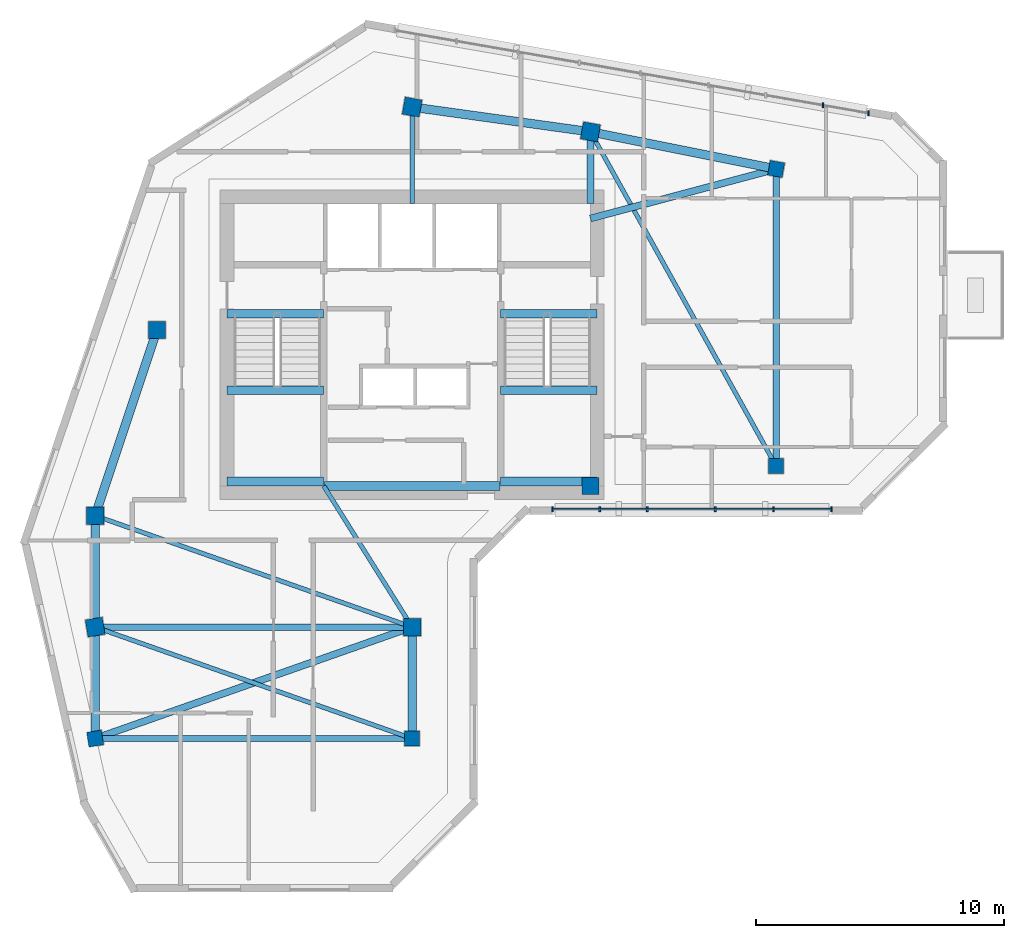
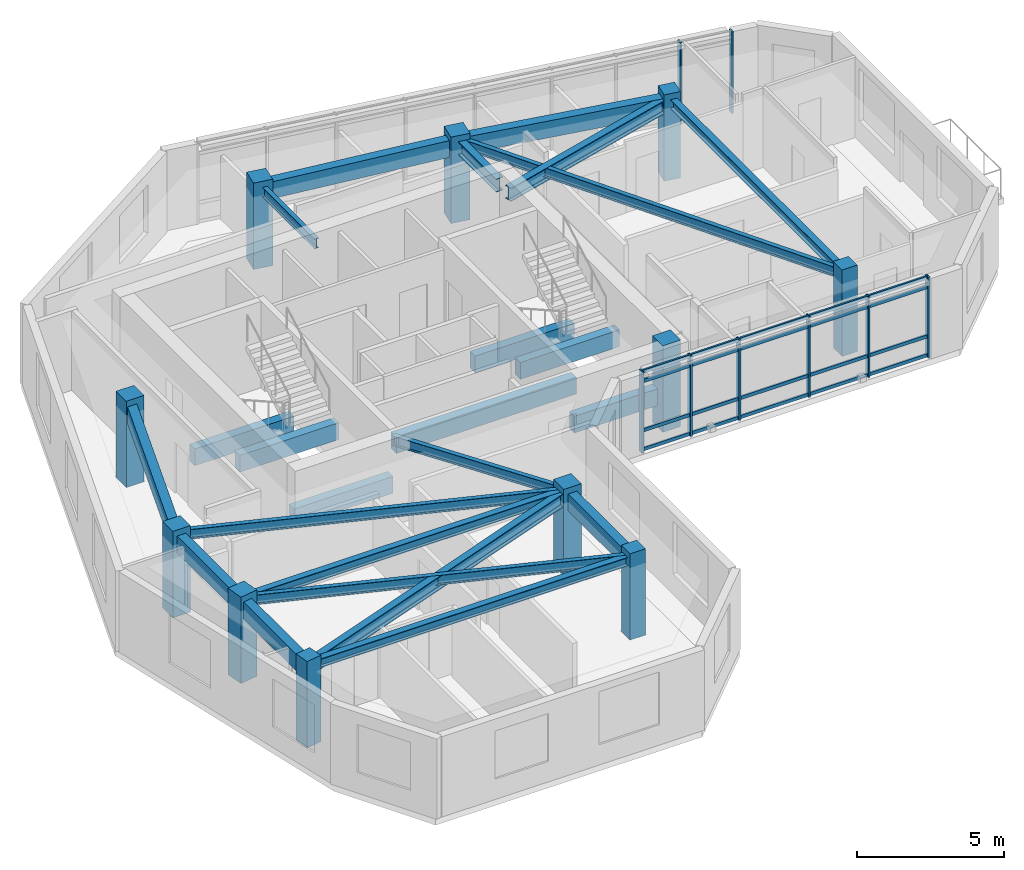
# One storey, part 1 of 9: 24 beams, 12 members, 11 columns, 2 elements without a shape of their own.
"""IFC4 building model written with IfcOpenShell, lengths in metres."""

import ifcopenshell
import ifcopenshell.guid

model = None  # the IFC model being written
_history = None  # IfcOwnerHistory: only IFC2X3 demands one
_inside = {}  # id of a spatial element -> (the spatial element, [elements in it])
_under = {}  # id of a project, library or spatial element -> (it, [spatial elements below it])
_declared = {}  # id of a project -> (the project, [libraries it declares])
_typed = {}  # id of a type object -> (the type object, [elements of that type])
_made_of = {}  # id of a material, layer set ... -> (it, [elements and type objects made of it])


def new_model(schema):
    """Start an empty IFC model of exactly this schema.

    Asked for "IFC4X3", IfcOpenShell would pick the latest addendum, in which some entities
    have other attributes; the version numbers below select the first issue.
    IFC2X3 requires an IfcOwnerHistory on every rooted entity: one is made here for all.
    """
    global model, _history
    if schema == "IFC4X3":
        model = ifcopenshell.file(schema_version=(4, 3, 0, 0))
    else:
        model = ifcopenshell.file(schema=schema)
    _inside.clear()
    _under.clear()
    _declared.clear()
    _typed.clear()
    _made_of.clear()
    _history = None
    if model.schema == "IFC2X3":
        org = make("IfcOrganization", Name="unknown")
        user = make(
            "IfcPersonAndOrganization",
            ThePerson=make("IfcPerson", FamilyName="unknown"),
            TheOrganization=org,
        )
        app = make(
            "IfcApplication",
            ApplicationDeveloper=org,
            Version="unknown",
            ApplicationFullName="unknown",
            ApplicationIdentifier="unknown",
        )
        _history = make(
            "IfcOwnerHistory",
            OwningUser=user,
            OwningApplication=app,
            ChangeAction="ADDED",
            CreationDate=0,
        )
    return model


def make(cls, **values):
    """One entity of the class cls with the attributes given. An attribute that is None is left unset."""
    return model.create_entity(
        cls, **{name: value for name, value in values.items() if value is not None}
    )


def rooted(cls, **values):
    """An entity with a GlobalId (a new one), such as an element, a storey or a relation."""
    return make(cls, GlobalId=ifcopenshell.guid.new(), OwnerHistory=_history, **values)


def si_unit(unit_type, name, prefix=None):
    """IfcSIUnit, for example si_unit("LENGTHUNIT", "METRE", prefix="MILLI")."""
    return make("IfcSIUnit", UnitType=unit_type, Prefix=prefix, Name=name)


def assignment(units):
    """IfcUnitAssignment: the units of a project."""
    return None if units is None else make("IfcUnitAssignment", Units=units)


def point(xyz):
    """IfcCartesianPoint."""
    return None if xyz is None else make("IfcCartesianPoint", Coordinates=xyz)


def direction(xyz):
    """IfcDirection."""
    return None if xyz is None else make("IfcDirection", DirectionRatios=xyz)


def frame(location, z_axis=None, x_axis=None):
    """IfcAxis2Placement3D, a coordinate frame: its origin and axes. An axis left out is left unset."""
    return make(
        "IfcAxis2Placement3D",
        Location=point(location),
        Axis=direction(z_axis),
        RefDirection=direction(x_axis),
    )


def frame_2d(location, x_axis=None):
    """IfcAxis2Placement2D, a coordinate frame in the plane: its origin and x axis."""
    return make(
        "IfcAxis2Placement2D", Location=point(location), RefDirection=direction(x_axis)
    )


def origin():
    """The frame at (0, 0, 0) with its axes left unset."""
    return frame((0.0, 0.0, 0.0))


def origin_2d():
    """The frame at (0, 0) in the plane with its x axis left unset."""
    return frame_2d((0.0, 0.0))


def place(relative_to, where):
    """IfcLocalPlacement: puts the frame where relative to a parent placement (None: the world)."""
    return make(
        "IfcLocalPlacement", PlacementRelTo=relative_to, RelativePlacement=where
    )


def context(
    kind, dimensions, precision=None, world=None, true_north=None, identifier=None
):
    """IfcGeometricRepresentationContext, for example the 3D "Model" context."""
    return make(
        "IfcGeometricRepresentationContext",
        ContextIdentifier=identifier,
        ContextType=kind,
        CoordinateSpaceDimension=dimensions,
        Precision=precision,
        WorldCoordinateSystem=world,
        TrueNorth=true_north,
    )


def subcontext(parent, identifier, kind, view, scale=None):
    """IfcGeometricRepresentationSubContext, for example "Body" below "Model"."""
    return make(
        "IfcGeometricRepresentationSubContext",
        ContextIdentifier=identifier,
        ContextType=kind,
        ParentContext=parent,
        TargetScale=scale,
        TargetView=view,
    )


def project(units=None, contexts=None):
    """IfcProject with its units and contexts."""
    return rooted(
        "IfcProject",
        Name="project",
        RepresentationContexts=contexts,
        UnitsInContext=assignment(units),
    )


def spatial(cls, under=None, at=None, **own):
    """A site, building, storey or space (cls), placed at a placement, below another one or the project."""
    s = rooted(cls, ObjectPlacement=at, **own)
    if under is not None:
        _under.setdefault(under.id(), (under, []))[1].append(s)
    return s


def profile(cls, at=None, kind="AREA", **sizes):
    """A parametric profile (cls). Its sizes go by their IFC names, for example OverallWidth=200.0."""
    return make(cls, ProfileType=kind, Position=at, **sizes)


def rectangle(**sizes):
    """IfcRectangleProfileDef."""
    return profile("IfcRectangleProfileDef", **sizes)


def i_section(**sizes):
    """IfcIShapeProfileDef."""
    return profile("IfcIShapeProfileDef", **sizes)


def extrude(swept, where, along, depth):
    """IfcExtrudedAreaSolid: the profile swept, set in the frame where, extruded along a direction by depth."""
    return make(
        "IfcExtrudedAreaSolid",
        SweptArea=swept,
        Position=where,
        ExtrudedDirection=direction(along),
        Depth=depth,
    )


def shape(context_of_items, identifier, shape_type, items):
    """IfcShapeRepresentation: the items that make up one representation, for example the "Body"."""
    return make(
        "IfcShapeRepresentation",
        ContextOfItems=context_of_items,
        RepresentationIdentifier=identifier,
        RepresentationType=shape_type,
        Items=items,
    )


def source(mapping_origin, context_of_items, identifier, shape_type, items):
    """IfcRepresentationMap: a shape defined once, which mapped items show again and again."""
    return make(
        "IfcRepresentationMap",
        MappingOrigin=mapping_origin,
        MappedRepresentation=shape(context_of_items, identifier, shape_type, items),
    )


def transform(
    local_origin,
    x_axis=None,
    y_axis=None,
    z_axis=None,
    scale=None,
    scale2=None,
    scale3=None,
    uniform=True,
):
    """IfcCartesianTransformationOperator3D, or its non-uniform kind. x_axis, y_axis, z_axis: its Axis1, 2, 3."""
    if uniform:
        return make(
            "IfcCartesianTransformationOperator3D",
            Axis1=direction(x_axis),
            Axis2=direction(y_axis),
            LocalOrigin=point(local_origin),
            Scale=scale,
            Axis3=direction(z_axis),
        )
    return make(
        "IfcCartesianTransformationOperator3DnonUniform",
        Axis1=direction(x_axis),
        Axis2=direction(y_axis),
        LocalOrigin=point(local_origin),
        Scale=scale,
        Axis3=direction(z_axis),
        Scale2=scale2,
        Scale3=scale3,
    )


def mapped(mapping_source, mapping_target):
    """IfcMappedItem: shows the shape of a source again, moved by a transform."""
    return make(
        "IfcMappedItem", MappingSource=mapping_source, MappingTarget=mapping_target
    )


def material(Name=None, Category=None):
    """IfcMaterial."""
    return make("IfcMaterial", Name=Name, Category=Category)


def material_profile(
    of_material, cross_section, Name=None, Category=None, Priority=None
):
    """IfcMaterialProfile: a cross section and its material."""
    return make(
        "IfcMaterialProfile",
        Name=Name,
        Material=of_material,
        Profile=cross_section,
        Priority=Priority,
        Category=Category,
    )


def profile_set(profiles, Name=None, composite=None):
    """IfcMaterialProfileSet."""
    return make(
        "IfcMaterialProfileSet",
        Name=Name,
        MaterialProfiles=profiles,
        CompositeProfile=composite,
    )


def made_of(thing, what):
    """Note that an element or type object is made of a material, layer set ...; save() writes the relation."""
    if what is not None:
        _made_of.setdefault(what.id(), (what, []))[1].append(thing)
    return thing


def type_object(cls, material=None, **own):
    """A type object (cls), such as IfcWallType, which elements share."""
    return made_of(rooted(cls, **own), material)


def element(
    cls,
    number,
    at=None,
    inside=None,
    cuts=None,
    type_object=None,
    material=None,
    context=None,
    identifier="Body",
    shape_type=None,
    held_by="IfcProductDefinitionShape",
    body=None,
    shapes=None,
    **own,
):
    """One element of the class cls, such as IfcWall. Its Tag is "e" and its number.

    at: its placement. inside: the storey or other place that contains it. cuts: it is an
    opening in that element (IfcRelVoidsElement). A single representation is given by context,
    identifier, shape_type and body (its items); several are given by shapes. held_by: the class
    of the entity that holds the representations. save() writes the other relations.
    """
    e = rooted(cls, Tag="e%d" % number, ObjectPlacement=at, **own)
    if body is not None:
        shapes = [shape(context, identifier, shape_type, body)]
    if shapes is not None:
        e.Representation = make(held_by, Representations=shapes)
    if inside is not None:
        _inside.setdefault(inside.id(), (inside, []))[1].append(e)
    if cuts is not None:
        rooted(
            "IfcRelVoidsElement", RelatingBuildingElement=cuts, RelatedOpeningElement=e
        )
    if type_object is not None:
        _typed.setdefault(type_object.id(), (type_object, []))[1].append(e)
    return made_of(e, material)


def aggregate(whole, parts):
    """IfcRelAggregates: a whole, such as a stair, and the parts it consists of."""
    return rooted("IfcRelAggregates", RelatingObject=whole, RelatedObjects=parts)


def save(model, path):
    """Write the relations noted so far, then the file.

    IfcRelAggregates (storeys below a building ...), IfcRelContainedInSpatialStructure (elements
    in a storey), IfcRelDefinesByType, IfcRelAssociatesMaterial and IfcRelDeclares: one each for
    every whole, place, type object, material and project.
    """
    for whole, parts in _under.values():
        aggregate(whole, parts)
    for where, things in _inside.values():
        rooted(
            "IfcRelContainedInSpatialStructure",
            RelatedElements=things,
            RelatingStructure=where,
        )
    for kind, things in _typed.values():
        rooted("IfcRelDefinesByType", RelatedObjects=things, RelatingType=kind)
    for what, things in _made_of.values():
        rooted("IfcRelAssociatesMaterial", RelatedObjects=things, RelatingMaterial=what)
    for by, libraries in _declared.values():
        rooted("IfcRelDeclares", RelatingContext=by, RelatedDefinitions=libraries)
    model.write(path)


model = new_model("IFC4")

# Units and contexts
model_context = context("Model", 3, precision=1e-05, world=origin(), true_north=direction((0.0, 1.0)))
body_context = subcontext(model_context, "Body", "Model", "MODEL_VIEW")
ifc_project = project(units=[si_unit("LENGTHUNIT", "METRE"), si_unit("AREAUNIT", "SQUARE_METRE"), si_unit("VOLUMEUNIT", "CUBIC_METRE"), si_unit("PLANEANGLEUNIT", "RADIAN"), si_unit("MASSUNIT", "GRAM", prefix="KILO")], contexts=[model_context])

# Site, building, storey
site_placement = place(None, origin())
site = spatial("IfcSite", under=ifc_project, at=site_placement, CompositionType="ELEMENT")
building_placement = place(site_placement, origin())
building = spatial("IfcBuilding", under=site, at=building_placement, Name="Calvemar Wedge Station Tower", CompositionType="ELEMENT")
storey_placement = place(building_placement, frame((0.0, 0.0, 260.10009765625)))
storey = spatial("IfcBuildingStorey", under=building, at=storey_placement, Name="L66", CompositionType="ELEMENT", Elevation=260.10009765625)

# Columns
ifc_material_1 = material(Name="Concrete C50", Category="concrete")
ifc_material_profile_1 = material_profile(ifc_material_1, rectangle(XDim=0.699951171875, YDim=0.699951171875, at=origin_2d()), Name="RC700x700")
ifc_profile_set_1 = profile_set([ifc_material_profile_1], Name="Concrete C50")
column_type_1 = type_object("IfcColumnType", Name="COL-C7-700", PredefinedType="COLUMN", material=ifc_profile_set_1)
shared_shape_1 = source(origin(), body_context, "Body", "SweptSolid", [
    extrude(rectangle(XDim=0.699951171875, YDim=0.699951171875, at=origin_2d()), origin(), (0.0, 0.0, 1.0), 3.599853515625),
])
for number, where, z_axis, x_axis, name in (
    (1, (11.0, 33.0, 0.0), (0.0, 0.0, 1.0), (1.0, 0.0, 0.0), "Storey L66 Column T-NW1"),
    (2, (13.5, 40.5, 0.0), (0.0, 0.0, 1.0), (1.0, 0.0, 0.0), "Storey L66 Column T-NW2"),
    (3, (23.800048828125, 49.5, 0.0), (0.0, 0.0, 1.0), (0.984195607969, -0.17708474032, 0.0), "Storey L66 Column T-N1"),
    (4, (31.0, 48.5, 0.0), (0.0, 0.0, 1.0), (0.984195607969, -0.17708474032, 0.0), "Storey L66 Column T-N2"),
    (5, (31.0, 34.199951171875, 0.0), (0.0, 0.0, 1.0), (1.0, 0.0, 0.0), "Storey L66 Column T-NL1"),
    (6, (11.0, 28.5, 0.0), (0.0, 0.0, 1.0), (0.158158067254, -0.987413806751, 0.0), "Storey L66 Column T-SW1"),
    (7, (23.800048828125, 28.5, 0.0), (0.0, 0.0, 1.0), (1.0, 0.0, 0.0), "Storey L66 Column T-SE1"),
):
    element("IfcColumn", number, at=place(storey_placement, frame(where, z_axis=z_axis, x_axis=x_axis)), inside=storey, type_object=column_type_1, Name=name, PredefinedType="COLUMN", context=body_context, shape_type="MappedRepresentation", body=[
        mapped(shared_shape_1, transform((0.0, 0.0, 0.0), scale=1.0)),
    ])
ifc_material_profile_2 = material_profile(ifc_material_1, rectangle(XDim=0.60009765625, YDim=0.60009765625, at=origin_2d()), Name="RC600x600")
ifc_profile_set_2 = profile_set([ifc_material_profile_2], Name="Concrete C50")
column_type_2 = type_object("IfcColumnType", Name="COL-C8-600", PredefinedType="COLUMN", material=ifc_profile_set_2)
shared_shape_2 = source(origin(), body_context, "Body", "SweptSolid", [
    extrude(rectangle(XDim=0.60009765625, YDim=0.60009765625, at=origin_2d()), origin(), (0.0, 0.0, 1.0), 3.599853515625),
])
for number, where, z_axis, x_axis, name in (
    (8, (38.5, 47.0, 0.0), (0.0, 0.0, 1.0), (0.984195607969, -0.17708474032, 0.0), "Storey L66 Column T-NU3"),
    (9, (38.5, 35.0, 0.0), (0.0, 0.0, 1.0), (1.0, 0.0, 0.0), "Storey L66 Column T-NL2"),
    (10, (11.0, 24.0, 0.0), (0.0, 0.0, 1.0), (0.158158067254, -0.987413806751, 0.0), "Storey L66 Column T-SW2"),
    (11, (23.800048828125, 24.0, 0.0), (0.0, 0.0, 1.0), (1.0, 0.0, 0.0), "Storey L66 Column T-SE2"),
):
    element("IfcColumn", number, at=place(storey_placement, frame(where, z_axis=z_axis, x_axis=x_axis)), inside=storey, type_object=column_type_2, Name=name, PredefinedType="COLUMN", context=body_context, shape_type="MappedRepresentation", body=[
        mapped(shared_shape_2, transform((0.0, 0.0, 0.0), scale=1.0)),
    ])

# Beams
ifc_material_2 = material(Name="Structural steel ASTM A572 Grade 50", Category="steel")
ifc_material_profile_3 = material_profile(ifc_material_2, i_section(OverallWidth=0.177978515625, OverallDepth=0.406982421875, WebThickness=0.0078125, FlangeThickness=0.0126953125, FilletRadius=0.010009765625, at=origin_2d()), Name="W410x60")
ifc_profile_set_3 = profile_set([ifc_material_profile_3], Name="Structural steel ASTM A572 Grade 50")
beam_type_1 = type_object("IfcBeamType", Name="BM-J3-W410", PredefinedType="JOIST", material=ifc_profile_set_3)
shared_shape_3 = source(origin(), body_context, "Body", "SweptSolid", [
    extrude(i_section(OverallWidth=0.177978515625, OverallDepth=0.406982421875, WebThickness=0.0078125, FlangeThickness=0.0126953125, FilletRadius=0.010009765625, at=origin_2d()), origin(), (0.0, 0.0, 1.0), 15.443359375),
])
beam_1_placement = place(storey_placement, frame((31.0, 48.5, 3.146484375), z_axis=(0.485642931179, -0.874157276122, 0.0), x_axis=(0.874157276122, 0.485642931179, 0.0)))
element("IfcBeam", 12, at=beam_1_placement, inside=storey, type_object=beam_type_1, Name="Storey L66 Floor Beam T-N2-T-NL2", PredefinedType="JOIST", context=body_context, shape_type="MappedRepresentation", body=[
    mapped(shared_shape_3, transform((0.0, 0.0, 0.0), scale=1.0)),
])
shared_shape_4 = source(origin(), body_context, "Body", "SweptSolid", [
    extrude(i_section(OverallWidth=0.177978515625, OverallDepth=0.406982421875, WebThickness=0.0078125, FlangeThickness=0.0126953125, FilletRadius=0.010009765625, at=origin_2d()), origin(), (0.0, 0.0, 1.0), 13.568115234375),
])
for number, where, z_axis, x_axis, name in (
    (13, (11.0, 33.0, 3.146484375), (0.943398221169, -0.331662171939, 0.0), (0.331662171939, 0.943398221169, 0.0), "Storey L66 Floor Beam T-NW1-T-SE1"),
    (14, (11.0, 28.5, 3.146484375), (0.943398221169, -0.331662171939, 0.0), (0.331662171939, 0.943398221169, 0.0), "Storey L66 Floor Beam T-SW1-T-SE2"),
):
    element("IfcBeam", number, at=place(storey_placement, frame(where, z_axis=z_axis, x_axis=x_axis)), inside=storey, type_object=beam_type_1, Name=name, PredefinedType="JOIST", context=body_context, shape_type="MappedRepresentation", body=[
        mapped(shared_shape_4, transform((0.0, 0.0, 0.0), scale=1.0)),
    ])
ifc_material_profile_4 = material_profile(ifc_material_2, i_section(OverallWidth=0.279052734375, OverallDepth=0.553955078125, WebThickness=0.017578125, FlangeThickness=0.029541015625, FilletRadius=0.014892578125, at=origin_2d()), Name="W530x196")
ifc_profile_set_4 = profile_set([ifc_material_profile_4], Name="Structural steel ASTM A572 Grade 50")
beam_type_2 = type_object("IfcBeamType", Name="BM-SB3-W530H", PredefinedType="BEAM", material=ifc_profile_set_4)
shared_shape_5 = source(origin(), body_context, "Body", "SweptSolid", [
    extrude(i_section(OverallWidth=0.279052734375, OverallDepth=0.553955078125, WebThickness=0.017578125, FlangeThickness=0.029541015625, FilletRadius=0.014892578125, at=origin_2d()), origin(), (0.0, 0.0, 1.0), 13.568115234375),
])
beam_2_placement = place(storey_placement, frame((23.800048828125, 28.5, 3.072998046875), z_axis=(-0.943398221169, -0.331662171939, 0.0), x_axis=(0.331662171939, -0.943398221169, 0.0)))
element("IfcBeam", 15, at=beam_2_placement, inside=storey, type_object=beam_type_2, Name="Storey L66 Floor Beam T-SE1-T-SW2", PredefinedType="BEAM", context=body_context, shape_type="MappedRepresentation", body=[
    mapped(shared_shape_5, transform((0.0, 0.0, 0.0), scale=1.0)),
])
shared_shape_6 = source(origin(), body_context, "Body", "SweptSolid", [
    extrude(i_section(OverallWidth=0.279052734375, OverallDepth=0.553955078125, WebThickness=0.017578125, FlangeThickness=0.029541015625, FilletRadius=0.014892578125, at=origin_2d()), origin(), (0.0, 0.0, 1.0), 7.76220703125),
])
beam_3_placement = place(storey_placement, frame((31.0, 45.0, 3.072998046875), z_axis=(0.966234939601, 0.25766265056, 0.0), x_axis=(-0.25766265056, 0.966234939601, 0.0)))
element("IfcBeam", 16, at=beam_3_placement, inside=storey, type_object=beam_type_2, Name="Storey L66 Core-to-Column Joist CJ-E2", PredefinedType="BEAM", context=body_context, shape_type="MappedRepresentation", body=[
    mapped(shared_shape_6, transform((0.0, 0.0, 0.0), scale=1.0)),
])
shared_shape_7 = source(origin(), body_context, "Body", "SweptSolid", [
    extrude(i_section(OverallWidth=0.177978515625, OverallDepth=0.406982421875, WebThickness=0.0078125, FlangeThickness=0.0126953125, FilletRadius=0.010009765625, at=origin_2d()), origin(), (0.0, 0.0, 1.0), 3.89990234375),
])
beam_4_placement = place(storey_placement, frame((23.800048828125, 45.60009765625, 3.146484375), z_axis=(0.0, 1.0, 0.0), x_axis=(-1.0, 0.0, 0.0)))
element("IfcBeam", 17, at=beam_4_placement, inside=storey, type_object=beam_type_1, Name="Storey L66 Core-to-Column Joist CJ-N1", PredefinedType="JOIST", context=body_context, shape_type="MappedRepresentation", body=[
    mapped(shared_shape_7, transform((0.0, 0.0, 0.0), scale=1.0)),
])
shared_shape_8 = source(origin(), body_context, "Body", "SweptSolid", [
    extrude(i_section(OverallWidth=0.279052734375, OverallDepth=0.553955078125, WebThickness=0.017578125, FlangeThickness=0.029541015625, FilletRadius=0.014892578125, at=origin_2d()), origin(), (0.0, 0.0, 1.0), 2.89990234375),
])
beam_5_placement = place(storey_placement, frame((31.0, 45.60009765625, 3.072998046875), z_axis=(0.0, 1.0, 0.0), x_axis=(-1.0, 0.0, 0.0)))
element("IfcBeam", 18, at=beam_5_placement, inside=storey, type_object=beam_type_2, Name="Storey L66 Core-to-Column Joist CJ-N2", PredefinedType="BEAM", context=body_context, shape_type="MappedRepresentation", body=[
    mapped(shared_shape_8, transform((0.0, 0.0, 0.0), scale=1.0)),
])
shared_shape_9 = source(origin(), body_context, "Body", "SweptSolid", [
    extrude(i_section(OverallWidth=0.177978515625, OverallDepth=0.406982421875, WebThickness=0.0078125, FlangeThickness=0.0126953125, FilletRadius=0.010009765625, at=origin_2d()), origin(), (0.0, 0.0, 1.0), 6.7255859375),
])
beam_6_placement = place(storey_placement, frame((20.22998046875, 34.199951171875, 3.146484375), z_axis=(0.530811158438, -0.847490126242, 0.0), x_axis=(0.847490126242, 0.530811158438, 0.0)))
element("IfcBeam", 19, at=beam_6_placement, inside=storey, type_object=beam_type_1, Name="Storey L66 Core-to-Column Joist CJ-S2", PredefinedType="JOIST", context=body_context, shape_type="MappedRepresentation", body=[
    mapped(shared_shape_9, transform((0.0, 0.0, 0.0), scale=1.0)),
])
ifc_material_3 = material(Name="Concrete C70", Category="concrete")
ifc_material_profile_5 = material_profile(ifc_material_3, rectangle(XDim=0.35009765625, YDim=0.699951171875, at=origin_2d()), Name="RC350x700")
ifc_profile_set_5 = profile_set([ifc_material_profile_5], Name="Concrete C70")
beam_type_3 = type_object("IfcBeamType", Name="BM-LN1-700", PredefinedType="LINTEL", material=ifc_profile_set_5)
shared_shape_10 = source(origin(), body_context, "Body", "SweptSolid", [
    extrude(rectangle(XDim=0.35009765625, YDim=0.699951171875, at=origin_2d()), origin(), (0.0, 0.0, 1.0), 7.10009765625),
])
beam_7_placement = place(storey_placement, frame((20.25, 34.199951171875, 3.0), z_axis=(1.0, 0.0, 0.0), x_axis=(0.0, 1.0, 0.0)))
element("IfcBeam", 20, at=beam_7_placement, inside=storey, type_object=beam_type_3, Name="Storey L66 Core Coupling Lintel South", PredefinedType="LINTEL", context=body_context, shape_type="MappedRepresentation", body=[
    mapped(shared_shape_10, transform((0.0, 0.0, 0.0), scale=1.0)),
])
ifc_material_profile_6 = material_profile(ifc_material_1, rectangle(XDim=0.35009765625, YDim=0.699951171875, at=origin_2d()), Name="RC350x700")
ifc_profile_set_6 = profile_set([ifc_material_profile_6], Name="Concrete C50")
beam_type_4 = type_object("IfcBeamType", Name="BM-SP2-700", PredefinedType="SPANDREL", material=ifc_profile_set_6)
shared_shape_11 = source(origin(), body_context, "Body", "SweptSolid", [
    extrude(rectangle(XDim=0.35009765625, YDim=0.699951171875, at=origin_2d()), origin(), (0.0, 0.0, 1.0), 7.90576171875),
])
beam_8_placement = place(storey_placement, frame((11.0, 33.0, 3.0), z_axis=(0.316227766017, 0.948683298051, 0.0), x_axis=(-0.948683298051, 0.316227766017, 0.0)))
element("IfcBeam", 21, at=beam_8_placement, inside=storey, type_object=beam_type_4, Name="Storey L66 Spandrel T-NW1-T-NW2", PredefinedType="SPANDREL", context=body_context, shape_type="MappedRepresentation", body=[
    mapped(shared_shape_11, transform((0.0, 0.0, 0.0), scale=1.0)),
])
shared_shape_12 = source(origin(), body_context, "Body", "SweptSolid", [
    extrude(rectangle(XDim=0.35009765625, YDim=0.699951171875, at=origin_2d()), origin(), (0.0, 0.0, 1.0), 7.26904296875),
])
beam_9_placement = place(storey_placement, frame((23.800048828125, 49.5, 3.0), z_axis=(0.990492146053, -0.13756928657, 0.0), x_axis=(0.13756928657, 0.990492146053, 0.0)))
element("IfcBeam", 22, at=beam_9_placement, inside=storey, type_object=beam_type_4, Name="Storey L66 Spandrel T-N1-T-N2", PredefinedType="SPANDREL", context=body_context, shape_type="MappedRepresentation", body=[
    mapped(shared_shape_12, transform((0.0, 0.0, 0.0), scale=1.0)),
])
shared_shape_13 = source(origin(), body_context, "Body", "SweptSolid", [
    extrude(rectangle(XDim=0.35009765625, YDim=0.699951171875, at=origin_2d()), origin(), (0.0, 0.0, 1.0), 7.6484375),
])
beam_10_placement = place(storey_placement, frame((31.0, 48.5, 3.0), z_axis=(0.980580675691, -0.196116135138, 0.0), x_axis=(0.196116135138, 0.980580675691, 0.0)))
element("IfcBeam", 23, at=beam_10_placement, inside=storey, type_object=beam_type_4, Name="Storey L66 Spandrel T-N2-T-NU3", PredefinedType="SPANDREL", context=body_context, shape_type="MappedRepresentation", body=[
    mapped(shared_shape_13, transform((0.0, 0.0, 0.0), scale=1.0)),
])
shared_shape_14 = source(origin(), body_context, "Body", "SweptSolid", [
    extrude(rectangle(XDim=0.35009765625, YDim=0.699951171875, at=origin_2d()), origin(), (0.0, 0.0, 1.0), 4.5),
])
for number, where, z_axis, x_axis, name in (
    (24, (11.0, 33.0, 3.0), (0.0, -1.0, 0.0), (1.0, 0.0, 0.0), "Storey L66 Spandrel T-NW1-T-SW1"),
    (25, (11.0, 28.5, 3.0), (0.0, -1.0, 0.0), (1.0, 0.0, 0.0), "Storey L66 Spandrel T-SW1-T-SW2"),
    (26, (23.800048828125, 28.5, 3.0), (0.0, -1.0, 0.0), (1.0, 0.0, 0.0), "Storey L66 Spandrel T-SE1-T-SE2"),
):
    element("IfcBeam", number, at=place(storey_placement, frame(where, z_axis=z_axis, x_axis=x_axis)), inside=storey, type_object=beam_type_4, Name=name, PredefinedType="SPANDREL", context=body_context, shape_type="MappedRepresentation", body=[
        mapped(shared_shape_14, transform((0.0, 0.0, 0.0), scale=1.0)),
    ])
shared_shape_15 = source(origin(), body_context, "Body", "SweptSolid", [
    extrude(rectangle(XDim=0.35009765625, YDim=0.699951171875, at=origin_2d()), origin(), (0.0, 0.0, 1.0), 3.905029296875),
])
for number, where, z_axis, x_axis, name in (
    (27, (16.324951171875, 41.14990234375, -0.35009765625), (1.0, 0.0, 0.0), (0.0, 1.0, 0.0), "Storey L66 Stair ST-C1 Landing Trimmer Beam"),
    (28, (16.324951171875, 34.3798828125, 1.25), (1.0, 0.0, 0.0), (0.0, 1.0, 0.0), "Storey L66 Stair ST-C1 Half-Landing Beam 1A"),
    (29, (16.324951171875, 38.070068359375, 1.25), (1.0, 0.0, 0.0), (0.0, 1.0, 0.0), "Storey L66 Stair ST-C1 Half-Landing Beam 1B"),
):
    element("IfcBeam", number, at=place(storey_placement, frame(where, z_axis=z_axis, x_axis=x_axis)), inside=storey, type_object=beam_type_3, Name=name, PredefinedType="LINTEL", context=body_context, shape_type="MappedRepresentation", body=[
        mapped(shared_shape_15, transform((0.0, 0.0, 0.0), scale=1.0)),
    ])
shared_shape_16 = source(origin(), body_context, "Body", "SweptSolid", [
    extrude(rectangle(XDim=0.35009765625, YDim=0.699951171875, at=origin_2d()), origin(), (0.0, 0.0, 1.0), 3.90478515625),
])
for number, where, z_axis, x_axis, name in (
    (30, (27.3701171875, 41.14990234375, -0.35009765625), (1.0, 0.0, 0.0), (0.0, 1.0, 0.0), "Storey L66 Stair ST-C2 Landing Trimmer Beam"),
    (31, (27.3701171875, 34.3798828125, 1.25), (1.0, 0.0, 0.0), (0.0, 1.0, 0.0), "Storey L66 Stair ST-C2 Half-Landing Beam 1A"),
    (32, (27.3701171875, 38.070068359375, 1.25), (1.0, 0.0, 0.0), (0.0, 1.0, 0.0), "Storey L66 Stair ST-C2 Half-Landing Beam 1B"),
):
    element("IfcBeam", number, at=place(storey_placement, frame(where, z_axis=z_axis, x_axis=x_axis)), inside=storey, type_object=beam_type_3, Name=name, PredefinedType="LINTEL", context=body_context, shape_type="MappedRepresentation", body=[
        mapped(shared_shape_16, transform((0.0, 0.0, 0.0), scale=1.0)),
    ])
ifc_material_profile_7 = material_profile(ifc_material_2, i_section(OverallWidth=0.257080078125, OverallDepth=0.363037109375, WebThickness=0.012939453125, FlangeThickness=0.021728515625, FilletRadius=0.014892578125, at=origin_2d()), Name="W360x122")
ifc_profile_set_7 = profile_set([ifc_material_profile_7], Name="Structural steel ASTM A572 Grade 50")
beam_type_5 = type_object("IfcBeamType", Name="BM-J4-W360", PredefinedType="JOIST", material=ifc_profile_set_7)
shared_shape_17 = source(origin(), body_context, "Body", "SweptSolid", [
    extrude(i_section(OverallWidth=0.257080078125, OverallDepth=0.363037109375, WebThickness=0.012939453125, FlangeThickness=0.021728515625, FilletRadius=0.014892578125, at=origin_2d()), origin(), (0.0, 0.0, 1.0), 12.0),
])
beam_11_placement = place(storey_placement, frame((38.5, 47.0, 3.16845703125), z_axis=(0.0, -1.0, 0.0), x_axis=(1.0, 0.0, 0.0)))
element("IfcBeam", 33, at=beam_11_placement, inside=storey, type_object=beam_type_5, Name="Storey L66 Floor Beam T-NU3-T-NL2", PredefinedType="JOIST", context=body_context, shape_type="MappedRepresentation", body=[
    mapped(shared_shape_17, transform((0.0, 0.0, 0.0), scale=1.0)),
])
shared_shape_18 = source(origin(), body_context, "Body", "SweptSolid", [
    extrude(i_section(OverallWidth=0.257080078125, OverallDepth=0.363037109375, WebThickness=0.012939453125, FlangeThickness=0.021728515625, FilletRadius=0.014892578125, at=origin_2d()), origin(), (0.0, 0.0, 1.0), 12.800048828125),
])
for number, where, z_axis, x_axis, name in (
    (34, (11.0, 28.5, 3.16845703125), (1.0, 0.0, 0.0), (0.0, 1.0, 0.0), "Storey L66 Floor Beam T-SW1-T-SE1"),
    (35, (11.0, 24.0, 3.16845703125), (1.0, 0.0, 0.0), (0.0, 1.0, 0.0), "Storey L66 Floor Beam T-SW2-T-SE2"),
):
    element("IfcBeam", number, at=place(storey_placement, frame(where, z_axis=z_axis, x_axis=x_axis)), inside=storey, type_object=beam_type_5, Name=name, PredefinedType="JOIST", context=body_context, shape_type="MappedRepresentation", body=[
        mapped(shared_shape_18, transform((0.0, 0.0, 0.0), scale=1.0)),
    ])

# Curtain wall, members
ifc_material_4 = material(Name="Anodised aluminium 6063-T6", Category="aluminium")
curtain_wall_type = type_object("IfcCurtainWallType", Name="CW4", PredefinedType="NOTDEFINED", material=ifc_material_4)
curtain_wall_1_placement = place(storey_placement, origin())
curtain_wall_1 = element("IfcCurtainWall", 36, at=curtain_wall_1_placement, inside=storey, type_object=curtain_wall_type, Name="Storey L66 CW4 Recessed Unitised Curtain Wall 6", PredefinedType="NOTDEFINED")
ifc_material_profile_8 = material_profile(ifc_material_4, rectangle(XDim=0.070068359375, YDim=0.199951171875, at=origin_2d()), Name="AL-MUL-70x200")
ifc_profile_set_8 = profile_set([ifc_material_profile_8], Name="Anodised aluminium 6063-T6")
member_type_1 = type_object("IfcMemberType", Name="CW4-MUL", PredefinedType="MULLION", material=ifc_profile_set_8)
shared_shape_19 = source(origin(), body_context, "Body", "SweptSolid", [
    extrude(rectangle(XDim=0.070068359375, YDim=0.199951171875, at=origin_2d()), origin(), (0.0, 0.0, 1.0), 3.39990234375),
])
member_1_placement = place(storey_placement, frame((29.469970703125, 33.26611328125, -0.050048828125), z_axis=(0.0, 0.0, 1.0), x_axis=(1.0, 0.0, 0.0)))
member_1 = element("IfcMember", 37, at=member_1_placement, type_object=member_type_1, Name="CW4 mullion 1", PredefinedType="MULLION", context=body_context, shape_type="MappedRepresentation", body=[
    mapped(shared_shape_19, transform((0.0, 0.0, 0.0), scale=1.0)),
])
member_2_placement = place(storey_placement, frame((31.3798828125, 33.26611328125, -0.050048828125), z_axis=(0.0, 0.0, 1.0), x_axis=(1.0, 0.0, 0.0)))
member_2 = element("IfcMember", 38, at=member_2_placement, type_object=member_type_1, Name="CW4 mullion 2", PredefinedType="MULLION", context=body_context, shape_type="MappedRepresentation", body=[
    mapped(shared_shape_19, transform((0.0, 0.0, 0.0), scale=1.0)),
])
member_3_placement = place(storey_placement, frame((33.2900390625, 33.26611328125, -0.050048828125), z_axis=(0.0, 0.0, 1.0), x_axis=(1.0, 0.0, 0.0)))
member_3 = element("IfcMember", 39, at=member_3_placement, type_object=member_type_1, Name="CW4 mullion 3", PredefinedType="MULLION", context=body_context, shape_type="MappedRepresentation", body=[
    mapped(shared_shape_19, transform((0.0, 0.0, 0.0), scale=1.0)),
])
member_4_placement = place(storey_placement, frame((36.0400390625, 33.26611328125, -0.050048828125), z_axis=(0.0, 0.0, 1.0), x_axis=(1.0, 0.0, 0.0)))
member_4 = element("IfcMember", 40, at=member_4_placement, type_object=member_type_1, Name="CW4 mullion 4", PredefinedType="MULLION", context=body_context, shape_type="MappedRepresentation", body=[
    mapped(shared_shape_19, transform((0.0, 0.0, 0.0), scale=1.0)),
])
member_5_placement = place(storey_placement, frame((38.388916015625, 33.26611328125, -0.050048828125), z_axis=(0.0, 0.0, 1.0), x_axis=(1.0, 0.0, 0.0)))
member_5 = element("IfcMember", 41, at=member_5_placement, type_object=member_type_1, Name="CW4 mullion 5", PredefinedType="MULLION", context=body_context, shape_type="MappedRepresentation", body=[
    mapped(shared_shape_19, transform((0.0, 0.0, 0.0), scale=1.0)),
])
member_6_placement = place(storey_placement, frame((40.73779296875, 33.26611328125, -0.050048828125), z_axis=(0.0, 0.0, 1.0), x_axis=(1.0, 0.0, 0.0)))
member_6 = element("IfcMember", 42, at=member_6_placement, type_object=member_type_1, Name="CW4 mullion 6", PredefinedType="MULLION", context=body_context, shape_type="MappedRepresentation", body=[
    mapped(shared_shape_19, transform((0.0, 0.0, 0.0), scale=1.0)),
])

curtain_wall_2_placement = place(storey_placement, origin())
curtain_wall_2 = element("IfcCurtainWall", 43, at=curtain_wall_2_placement, inside=storey, type_object=curtain_wall_type, Name="Storey L66 CW4 Recessed Unitised Curtain Wall 10", PredefinedType="NOTDEFINED")
member_7_placement = place(storey_placement, frame((42.233642578125, 49.246826171875, -0.050048828125), z_axis=(0.0, 0.0, 1.0), x_axis=(1.0, 0.0, 0.0)))
member_7 = element("IfcMember", 44, at=member_7_placement, type_object=member_type_1, Name="CW4 mullion 1", PredefinedType="MULLION", context=body_context, shape_type="MappedRepresentation", body=[
    mapped(shared_shape_19, transform((0.0, 0.0, 0.0), scale=1.0)),
])
member_8_placement = place(storey_placement, frame((40.388427734375, 49.569580078125, -0.050048828125), z_axis=(0.0, 0.0, 1.0), x_axis=(1.0, 0.0, 0.0)))
member_8 = element("IfcMember", 45, at=member_8_placement, type_object=member_type_1, Name="CW4 mullion 2", PredefinedType="MULLION", context=body_context, shape_type="MappedRepresentation", body=[
    mapped(shared_shape_19, transform((0.0, 0.0, 0.0), scale=1.0)),
])
aggregate(curtain_wall_2, [member_7, member_8])

# Member
ifc_material_profile_9 = material_profile(ifc_material_4, rectangle(XDim=0.070068359375, YDim=0.139892578125, at=origin_2d()), Name="AL-TRN-70x140")
ifc_profile_set_9 = profile_set([ifc_material_profile_9], Name="Anodised aluminium 6063-T6")
member_type_2 = type_object("IfcMemberType", Name="CW4-TRN", PredefinedType="USERDEFINED", material=ifc_profile_set_9)
shared_shape_20 = source(origin(), body_context, "Body", "SweptSolid", [
    extrude(rectangle(XDim=0.070068359375, YDim=0.139892578125, at=origin_2d()), origin(), (0.0, 0.0, 1.0), 11.267822265625),
])
member_9_placement = place(storey_placement, frame((29.469970703125, 33.26611328125, 0.059814453125), z_axis=(1.0, 0.0, 0.0), x_axis=(0.0, 1.0, 0.0)))
member_9 = element("IfcMember", 46, at=member_9_placement, type_object=member_type_2, Name="CW4 transom 1", ObjectType="TRANSOM", PredefinedType="USERDEFINED", context=body_context, shape_type="MappedRepresentation", body=[
    mapped(shared_shape_20, transform((0.0, 0.0, 0.0), scale=1.0)),
])

member_10_placement = place(storey_placement, frame((29.469970703125, 33.26611328125, 0.849853515625), z_axis=(1.0, 0.0, 0.0), x_axis=(0.0, 1.0, 0.0)))
member_10 = element("IfcMember", 47, at=member_10_placement, type_object=member_type_2, Name="CW4 transom 2", ObjectType="TRANSOM", PredefinedType="USERDEFINED", context=body_context, shape_type="MappedRepresentation", body=[
    mapped(shared_shape_20, transform((0.0, 0.0, 0.0), scale=1.0)),
])

member_11_placement = place(storey_placement, frame((29.469970703125, 33.26611328125, 2.89990234375), z_axis=(1.0, 0.0, 0.0), x_axis=(0.0, 1.0, 0.0)))
member_11 = element("IfcMember", 48, at=member_11_placement, type_object=member_type_2, Name="CW4 transom 3", ObjectType="TRANSOM", PredefinedType="USERDEFINED", context=body_context, shape_type="MappedRepresentation", body=[
    mapped(shared_shape_20, transform((0.0, 0.0, 0.0), scale=1.0)),
])

member_12_placement = place(storey_placement, frame((29.469970703125, 33.26611328125, 3.289794921875), z_axis=(1.0, 0.0, 0.0), x_axis=(0.0, 1.0, 0.0)))
member_12 = element("IfcMember", 49, at=member_12_placement, type_object=member_type_2, Name="CW4 transom 4", ObjectType="TRANSOM", PredefinedType="USERDEFINED", context=body_context, shape_type="MappedRepresentation", body=[
    mapped(shared_shape_20, transform((0.0, 0.0, 0.0), scale=1.0)),
])

aggregate(curtain_wall_1, [member_1, member_2, member_3, member_4, member_5, member_6, member_9, member_10, member_11, member_12])

save(model, "model.ifc")
